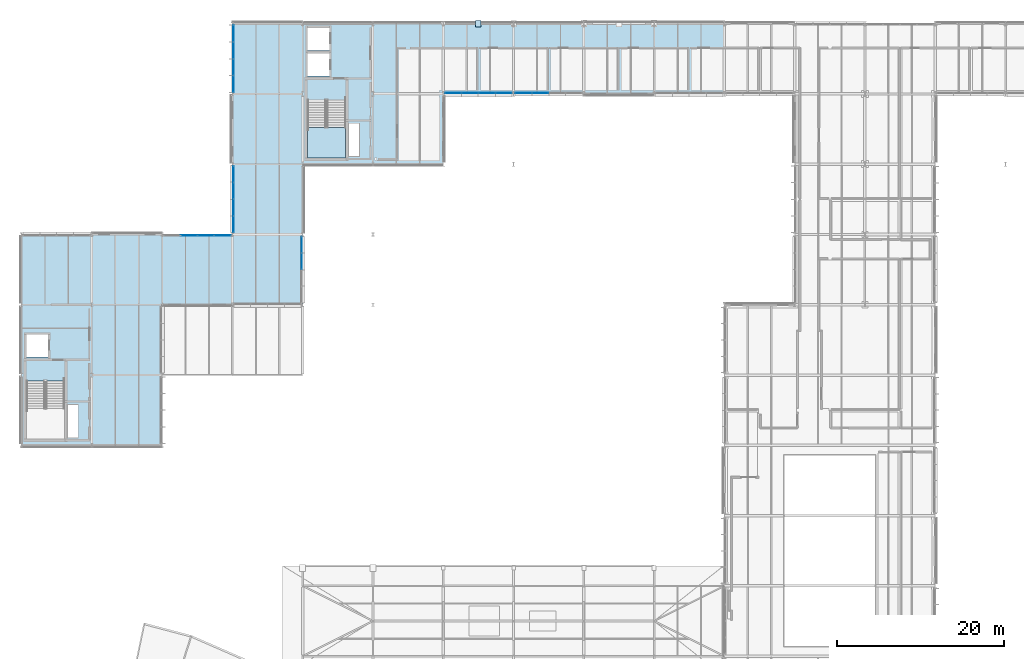
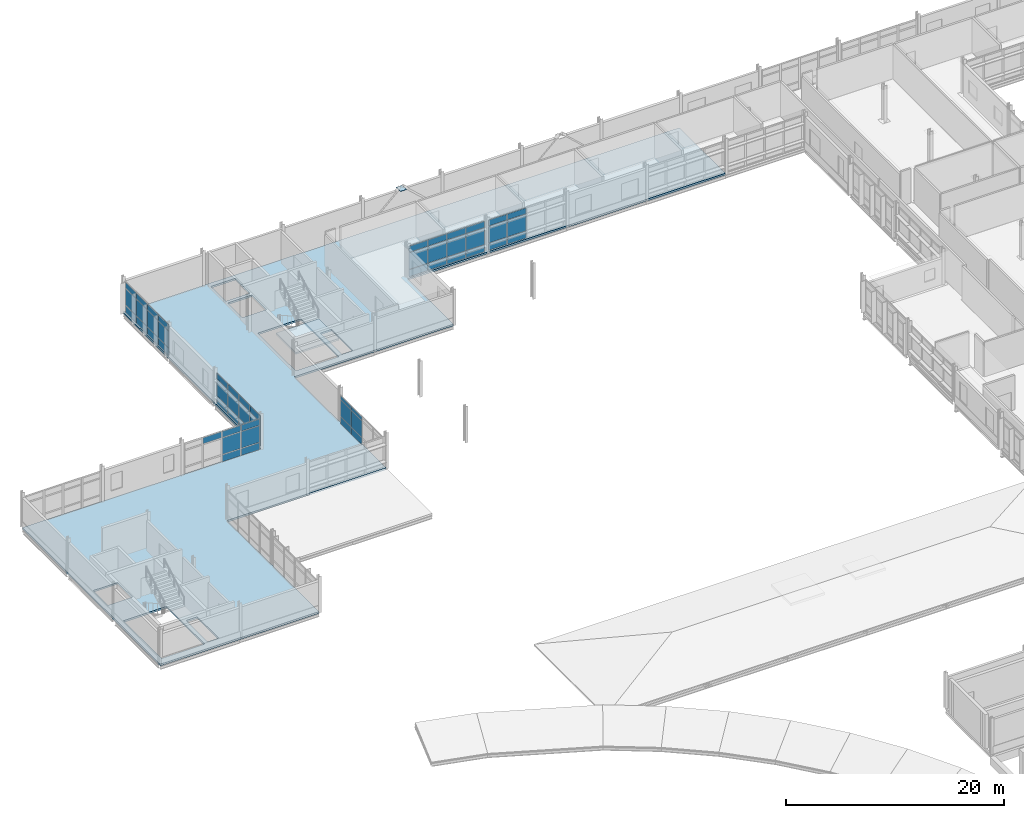
# One storey, part 111 of 151: 56 plates, 2 slabs, 7 elements without a shape of their own.
"""IFC4 building model written with IfcOpenShell, lengths in metres."""

import ifcopenshell
import ifcopenshell.guid

model = None  # the IFC model being written
_history = None  # IfcOwnerHistory: only IFC2X3 demands one
_inside = {}  # id of a spatial element -> (the spatial element, [elements in it])
_under = {}  # id of a project, library or spatial element -> (it, [spatial elements below it])
_declared = {}  # id of a project -> (the project, [libraries it declares])
_typed = {}  # id of a type object -> (the type object, [elements of that type])
_made_of = {}  # id of a material, layer set ... -> (it, [elements and type objects made of it])


def new_model(schema):
    """Start an empty IFC model of exactly this schema.

    Asked for "IFC4X3", IfcOpenShell would pick the latest addendum, in which some entities
    have other attributes; the version numbers below select the first issue.
    IFC2X3 requires an IfcOwnerHistory on every rooted entity: one is made here for all.
    """
    global model, _history
    if schema == "IFC4X3":
        model = ifcopenshell.file(schema_version=(4, 3, 0, 0))
    else:
        model = ifcopenshell.file(schema=schema)
    _inside.clear()
    _under.clear()
    _declared.clear()
    _typed.clear()
    _made_of.clear()
    _history = None
    if model.schema == "IFC2X3":
        org = make("IfcOrganization", Name="unknown")
        user = make(
            "IfcPersonAndOrganization",
            ThePerson=make("IfcPerson", FamilyName="unknown"),
            TheOrganization=org,
        )
        app = make(
            "IfcApplication",
            ApplicationDeveloper=org,
            Version="unknown",
            ApplicationFullName="unknown",
            ApplicationIdentifier="unknown",
        )
        _history = make(
            "IfcOwnerHistory",
            OwningUser=user,
            OwningApplication=app,
            ChangeAction="ADDED",
            CreationDate=0,
        )
    return model


def make(cls, **values):
    """One entity of the class cls with the attributes given. An attribute that is None is left unset."""
    return model.create_entity(
        cls, **{name: value for name, value in values.items() if value is not None}
    )


def rooted(cls, **values):
    """An entity with a GlobalId (a new one), such as an element, a storey or a relation."""
    return make(cls, GlobalId=ifcopenshell.guid.new(), OwnerHistory=_history, **values)


def si_unit(unit_type, name, prefix=None):
    """IfcSIUnit, for example si_unit("LENGTHUNIT", "METRE", prefix="MILLI")."""
    return make("IfcSIUnit", UnitType=unit_type, Prefix=prefix, Name=name)


def assignment(units):
    """IfcUnitAssignment: the units of a project."""
    return None if units is None else make("IfcUnitAssignment", Units=units)


def point(xyz):
    """IfcCartesianPoint."""
    return None if xyz is None else make("IfcCartesianPoint", Coordinates=xyz)


def direction(xyz):
    """IfcDirection."""
    return None if xyz is None else make("IfcDirection", DirectionRatios=xyz)


def frame(location, z_axis=None, x_axis=None):
    """IfcAxis2Placement3D, a coordinate frame: its origin and axes. An axis left out is left unset."""
    return make(
        "IfcAxis2Placement3D",
        Location=point(location),
        Axis=direction(z_axis),
        RefDirection=direction(x_axis),
    )


def frame_2d(location, x_axis=None):
    """IfcAxis2Placement2D, a coordinate frame in the plane: its origin and x axis."""
    return make(
        "IfcAxis2Placement2D", Location=point(location), RefDirection=direction(x_axis)
    )


def origin():
    """The frame at (0, 0, 0) with its axes left unset."""
    return frame((0.0, 0.0, 0.0))


def origin_2d():
    """The frame at (0, 0) in the plane with its x axis left unset."""
    return frame_2d((0.0, 0.0))


def place(relative_to, where):
    """IfcLocalPlacement: puts the frame where relative to a parent placement (None: the world)."""
    return make(
        "IfcLocalPlacement", PlacementRelTo=relative_to, RelativePlacement=where
    )


def context(
    kind, dimensions, precision=None, world=None, true_north=None, identifier=None
):
    """IfcGeometricRepresentationContext, for example the 3D "Model" context."""
    return make(
        "IfcGeometricRepresentationContext",
        ContextIdentifier=identifier,
        ContextType=kind,
        CoordinateSpaceDimension=dimensions,
        Precision=precision,
        WorldCoordinateSystem=world,
        TrueNorth=true_north,
    )


def subcontext(parent, identifier, kind, view, scale=None):
    """IfcGeometricRepresentationSubContext, for example "Body" below "Model"."""
    return make(
        "IfcGeometricRepresentationSubContext",
        ContextIdentifier=identifier,
        ContextType=kind,
        ParentContext=parent,
        TargetScale=scale,
        TargetView=view,
    )


def project(units=None, contexts=None):
    """IfcProject with its units and contexts."""
    return rooted(
        "IfcProject",
        Name="project",
        RepresentationContexts=contexts,
        UnitsInContext=assignment(units),
    )


def spatial(cls, under=None, at=None, **own):
    """A site, building, storey or space (cls), placed at a placement, below another one or the project."""
    s = rooted(cls, ObjectPlacement=at, **own)
    if under is not None:
        _under.setdefault(under.id(), (under, []))[1].append(s)
    return s


def polyline(points):
    """IfcPolyline through the points."""
    return make("IfcPolyline", Points=[point(p) for p in points])


def profile(cls, at=None, kind="AREA", **sizes):
    """A parametric profile (cls). Its sizes go by their IFC names, for example OverallWidth=200.0."""
    return make(cls, ProfileType=kind, Position=at, **sizes)


def rectangle(**sizes):
    """IfcRectangleProfileDef."""
    return profile("IfcRectangleProfileDef", **sizes)


def outline(outer, holes=None, kind="AREA"):
    """IfcArbitraryClosedProfileDef: a profile drawn as a closed curve; with holes, ...WithVoids."""
    if holes is None:
        return make("IfcArbitraryClosedProfileDef", ProfileType=kind, OuterCurve=outer)
    return make(
        "IfcArbitraryProfileDefWithVoids",
        ProfileType=kind,
        OuterCurve=outer,
        InnerCurves=holes,
    )


def extrude(swept, where, along, depth):
    """IfcExtrudedAreaSolid: the profile swept, set in the frame where, extruded along a direction by depth."""
    return make(
        "IfcExtrudedAreaSolid",
        SweptArea=swept,
        Position=where,
        ExtrudedDirection=direction(along),
        Depth=depth,
    )


def shape(context_of_items, identifier, shape_type, items):
    """IfcShapeRepresentation: the items that make up one representation, for example the "Body"."""
    return make(
        "IfcShapeRepresentation",
        ContextOfItems=context_of_items,
        RepresentationIdentifier=identifier,
        RepresentationType=shape_type,
        Items=items,
    )


def material(Name=None, Category=None):
    """IfcMaterial."""
    return make("IfcMaterial", Name=Name, Category=Category)


def layer(
    of_material, thickness, ventilated=None, Name=None, Category=None, Priority=None
):
    """IfcMaterialLayer: one layer of a wall or slab, of a material (None: an air gap)."""
    return make(
        "IfcMaterialLayer",
        Material=of_material,
        LayerThickness=thickness,
        IsVentilated=ventilated,
        Name=Name,
        Category=Category,
        Priority=Priority,
    )


def layer_set(layers, Name=None):
    """IfcMaterialLayerSet."""
    return make("IfcMaterialLayerSet", MaterialLayers=layers, LayerSetName=Name)


def made_of(thing, what):
    """Note that an element or type object is made of a material, layer set ...; save() writes the relation."""
    if what is not None:
        _made_of.setdefault(what.id(), (what, []))[1].append(thing)
    return thing


def type_object(cls, material=None, **own):
    """A type object (cls), such as IfcWallType, which elements share."""
    return made_of(rooted(cls, **own), material)


def element(
    cls,
    number,
    at=None,
    inside=None,
    cuts=None,
    type_object=None,
    material=None,
    context=None,
    identifier="Body",
    shape_type=None,
    held_by="IfcProductDefinitionShape",
    body=None,
    shapes=None,
    **own,
):
    """One element of the class cls, such as IfcWall. Its Tag is "e" and its number.

    at: its placement. inside: the storey or other place that contains it. cuts: it is an
    opening in that element (IfcRelVoidsElement). A single representation is given by context,
    identifier, shape_type and body (its items); several are given by shapes. held_by: the class
    of the entity that holds the representations. save() writes the other relations.
    """
    e = rooted(cls, Tag="e%d" % number, ObjectPlacement=at, **own)
    if body is not None:
        shapes = [shape(context, identifier, shape_type, body)]
    if shapes is not None:
        e.Representation = make(held_by, Representations=shapes)
    if inside is not None:
        _inside.setdefault(inside.id(), (inside, []))[1].append(e)
    if cuts is not None:
        rooted(
            "IfcRelVoidsElement", RelatingBuildingElement=cuts, RelatedOpeningElement=e
        )
    if type_object is not None:
        _typed.setdefault(type_object.id(), (type_object, []))[1].append(e)
    return made_of(e, material)


def aggregate(whole, parts):
    """IfcRelAggregates: a whole, such as a stair, and the parts it consists of."""
    return rooted("IfcRelAggregates", RelatingObject=whole, RelatedObjects=parts)


def save(model, path):
    """Write the relations noted so far, then the file.

    IfcRelAggregates (storeys below a building ...), IfcRelContainedInSpatialStructure (elements
    in a storey), IfcRelDefinesByType, IfcRelAssociatesMaterial and IfcRelDeclares: one each for
    every whole, place, type object, material and project.
    """
    for whole, parts in _under.values():
        aggregate(whole, parts)
    for where, things in _inside.values():
        rooted(
            "IfcRelContainedInSpatialStructure",
            RelatedElements=things,
            RelatingStructure=where,
        )
    for kind, things in _typed.values():
        rooted("IfcRelDefinesByType", RelatedObjects=things, RelatingType=kind)
    for what, things in _made_of.values():
        rooted("IfcRelAssociatesMaterial", RelatedObjects=things, RelatingMaterial=what)
    for by, libraries in _declared.values():
        rooted("IfcRelDeclares", RelatingContext=by, RelatedDefinitions=libraries)
    model.write(path)


model = new_model("IFC4")

# Units and contexts
model_context = context("Model", 3, precision=1e-05, world=origin(), true_north=direction((0.0, 1.0)))
body_context = subcontext(model_context, "Body", "Model", "MODEL_VIEW")
ifc_project = project(units=[si_unit("LENGTHUNIT", "METRE"), si_unit("AREAUNIT", "SQUARE_METRE"), si_unit("VOLUMEUNIT", "CUBIC_METRE"), si_unit("PLANEANGLEUNIT", "RADIAN"), si_unit("MASSUNIT", "GRAM", prefix="KILO")], contexts=[model_context])

# Site, building, storey
site_placement = place(None, origin())
site = spatial("IfcSite", under=ifc_project, at=site_placement, CompositionType="ELEMENT")
building_placement = place(site_placement, origin())
building = spatial("IfcBuilding", under=site, at=building_placement, Name="Mersafa Astral City Hall", CompositionType="ELEMENT")
storey_placement = place(building_placement, frame((0.0, 0.0, 9.89990234375)))
storey = spatial("IfcBuildingStorey", under=building, at=storey_placement, Name="L02", CompositionType="ELEMENT", Elevation=9.89990234375)

# Curtain wall, plates
ifc_material_1 = material(Name="Anodised bronze aluminium framing", Category="aluminium")
curtain_wall_type_1 = type_object("IfcCurtainWallType", Name="ENV-CW-1", PredefinedType="USERDEFINED", material=ifc_material_1)
curtain_wall_1_placement = place(storey_placement, origin())
curtain_wall_1 = element("IfcCurtainWall", 1, at=curtain_wall_1_placement, inside=storey, type_object=curtain_wall_type_1, Name="L02 Unitised solar curtain wall 132", ObjectType="UNITISED CURTAIN WALL", PredefinedType="USERDEFINED")
ifc_material_2 = material(Name="Solar control low-e double glazing", Category="glass")
ifc_layer_1 = layer(ifc_material_2, 0.028076171875, Name="Solar control low-e double glazing")
ifc_layer_set_1 = layer_set([ifc_layer_1], Name="Solar control low-e double glazing — ENV-CW-PNL-GLZ-1")
plate_type_1 = type_object("IfcPlateType", Name="ENV-CW-PNL-GLZ-1", PredefinedType="CURTAIN_PANEL", material=ifc_layer_set_1)
plate_1_placement = place(storey_placement, frame((32.41357421875, 100.679931640625, 0.05810546875), z_axis=(0.0, 0.0, 1.0), x_axis=(-1.0, 0.0, 0.0)))
plate_1 = element("IfcPlate", 2, at=plate_1_placement, type_object=plate_type_1, Name="CW-1 panel 1.1", PredefinedType="CURTAIN_PANEL", context=body_context, shape_type="SweptSolid", body=[
    extrude(rectangle(XDim=1.928955078125, YDim=0.028076171875, at=origin_2d()), origin(), (0.0, 0.0, 1.0), 0.761962890625),
])
plate_2_placement = place(storey_placement, frame((32.41357421875, 100.679931640625, 0.8798828125), z_axis=(0.0, 0.0, 1.0), x_axis=(-1.0, 0.0, 0.0)))
plate_2 = element("IfcPlate", 3, at=plate_2_placement, type_object=plate_type_1, Name="CW-1 panel 1.2", PredefinedType="CURTAIN_PANEL", context=body_context, shape_type="SweptSolid", body=[
    extrude(rectangle(XDim=1.928955078125, YDim=0.028076171875, at=origin_2d()), origin(), (0.0, 0.0, 1.0), 1.840087890625),
])
plate_3_placement = place(storey_placement, frame((32.41357421875, 100.679931640625, 2.7802734375), z_axis=(0.0, 0.0, 1.0), x_axis=(-1.0, 0.0, 0.0)))
plate_3 = element("IfcPlate", 4, at=plate_3_placement, type_object=plate_type_1, Name="CW-1 panel 1.3", PredefinedType="CURTAIN_PANEL", context=body_context, shape_type="SweptSolid", body=[
    extrude(rectangle(XDim=1.928955078125, YDim=0.028076171875, at=origin_2d()), origin(), (0.0, 0.0, 1.0), 0.677001953125),
])
plate_4_placement = place(storey_placement, frame((30.409423828125, 100.679931640625, 0.05810546875), z_axis=(0.0, 0.0, 1.0), x_axis=(-1.0, 0.0, 0.0)))
plate_4 = element("IfcPlate", 5, at=plate_4_placement, type_object=plate_type_1, Name="CW-1 panel 2.1", PredefinedType="CURTAIN_PANEL", context=body_context, shape_type="SweptSolid", body=[
    extrude(rectangle(XDim=1.958984375, YDim=0.028076171875, at=origin_2d()), origin(), (0.0, 0.0, 1.0), 0.761962890625),
])
plate_5_placement = place(storey_placement, frame((30.409423828125, 100.679931640625, 0.8798828125), z_axis=(0.0, 0.0, 1.0), x_axis=(-1.0, 0.0, 0.0)))
plate_5 = element("IfcPlate", 6, at=plate_5_placement, type_object=plate_type_1, Name="CW-1 panel 2.2", PredefinedType="CURTAIN_PANEL", context=body_context, shape_type="SweptSolid", body=[
    extrude(rectangle(XDim=1.958984375, YDim=0.028076171875, at=origin_2d()), origin(), (0.0, 0.0, 1.0), 1.840087890625),
])
plate_6_placement = place(storey_placement, frame((30.409423828125, 100.679931640625, 2.7802734375), z_axis=(0.0, 0.0, 1.0), x_axis=(-1.0, 0.0, 0.0)))
plate_6 = element("IfcPlate", 7, at=plate_6_placement, type_object=plate_type_1, Name="CW-1 panel 2.3", PredefinedType="CURTAIN_PANEL", context=body_context, shape_type="SweptSolid", body=[
    extrude(rectangle(XDim=1.958984375, YDim=0.028076171875, at=origin_2d()), origin(), (0.0, 0.0, 1.0), 0.677001953125),
])
plate_7_placement = place(storey_placement, frame((28.390380859375, 100.679931640625, 2.7802734375), z_axis=(0.0, 0.0, 1.0), x_axis=(-1.0, 0.0, 0.0)))
plate_7 = element("IfcPlate", 8, at=plate_7_placement, type_object=plate_type_1, Name="CW-1 panel 3.3", PredefinedType="CURTAIN_PANEL", context=body_context, shape_type="SweptSolid", body=[
    extrude(rectangle(XDim=1.958984375, YDim=0.028076171875, at=origin_2d()), origin(), (0.0, 0.0, 1.0), 0.677001953125),
])
aggregate(curtain_wall_1, [plate_1, plate_2, plate_3, plate_4, plate_5, plate_6, plate_7])

curtain_wall_type_2 = type_object("IfcCurtainWallType", Name="ENV-CW-6", PredefinedType="USERDEFINED", material=ifc_material_1)
curtain_wall_2_placement = place(storey_placement, origin())
curtain_wall_2 = element("IfcCurtainWall", 9, at=curtain_wall_2_placement, inside=storey, type_object=curtain_wall_type_2, Name="L02 Unitised solar curtain wall 137", ObjectType="UNITISED CURTAIN WALL", PredefinedType="USERDEFINED")
ifc_layer_2 = layer(ifc_material_2, 0.031982421875, Name="Solar control low-e double glazing")
ifc_layer_set_2 = layer_set([ifc_layer_2], Name="Solar control low-e double glazing — ENV-CW-PNL-GLZ-2")
plate_type_2 = type_object("IfcPlateType", Name="ENV-CW-PNL-GLZ-2", PredefinedType="CURTAIN_PANEL", material=ifc_layer_set_2)
plate_8_placement = place(storey_placement, frame((41.8798828125, 97.596923828125, 0.05810546875), z_axis=(0.0, 0.0, 1.0), x_axis=(0.0, 1.0, 0.0)))
plate_8 = element("IfcPlate", 10, at=plate_8_placement, type_object=plate_type_2, Name="CW-6 panel 3.1", PredefinedType="CURTAIN_PANEL", context=body_context, shape_type="SweptSolid", body=[
    extrude(rectangle(XDim=1.93408203125, YDim=0.031982421875, at=origin_2d()), origin(), (0.0, 0.0, 1.0), 0.761962890625),
])
plate_9_placement = place(storey_placement, frame((41.8798828125, 97.596923828125, 0.8798828125), z_axis=(0.0, 0.0, 1.0), x_axis=(0.0, 1.0, 0.0)))
plate_9 = element("IfcPlate", 11, at=plate_9_placement, type_object=plate_type_2, Name="CW-6 panel 3.2", PredefinedType="CURTAIN_PANEL", context=body_context, shape_type="SweptSolid", body=[
    extrude(rectangle(XDim=1.93408203125, YDim=0.031982421875, at=origin_2d()), origin(), (0.0, 0.0, 1.0), 1.840087890625),
])
plate_10_placement = place(storey_placement, frame((41.8798828125, 97.596923828125, 2.7802734375), z_axis=(0.0, 0.0, 1.0), x_axis=(0.0, 1.0, 0.0)))
plate_10 = element("IfcPlate", 12, at=plate_10_placement, type_object=plate_type_2, Name="CW-6 panel 3.3", PredefinedType="CURTAIN_PANEL", context=body_context, shape_type="SweptSolid", body=[
    extrude(rectangle(XDim=1.93408203125, YDim=0.031982421875, at=origin_2d()), origin(), (0.0, 0.0, 1.0), 0.406982421875),
])
plate_11_placement = place(storey_placement, frame((41.8798828125, 99.575927734375, 0.05810546875), z_axis=(0.0, 0.0, 1.0), x_axis=(0.0, 1.0, 0.0)))
plate_11 = element("IfcPlate", 13, at=plate_11_placement, type_object=plate_type_2, Name="CW-6 panel 4.1", PredefinedType="CURTAIN_PANEL", context=body_context, shape_type="SweptSolid", body=[
    extrude(rectangle(XDim=1.904052734375, YDim=0.031982421875, at=origin_2d()), origin(), (0.0, 0.0, 1.0), 0.761962890625),
])
plate_12_placement = place(storey_placement, frame((41.8798828125, 99.575927734375, 0.8798828125), z_axis=(0.0, 0.0, 1.0), x_axis=(0.0, 1.0, 0.0)))
plate_12 = element("IfcPlate", 14, at=plate_12_placement, type_object=plate_type_2, Name="CW-6 panel 4.2", PredefinedType="CURTAIN_PANEL", context=body_context, shape_type="SweptSolid", body=[
    extrude(rectangle(XDim=1.904052734375, YDim=0.031982421875, at=origin_2d()), origin(), (0.0, 0.0, 1.0), 1.840087890625),
])
plate_13_placement = place(storey_placement, frame((41.8798828125, 99.575927734375, 2.7802734375), z_axis=(0.0, 0.0, 1.0), x_axis=(0.0, 1.0, 0.0)))
plate_13 = element("IfcPlate", 15, at=plate_13_placement, type_object=plate_type_2, Name="CW-6 panel 4.3", PredefinedType="CURTAIN_PANEL", context=body_context, shape_type="SweptSolid", body=[
    extrude(rectangle(XDim=1.904052734375, YDim=0.031982421875, at=origin_2d()), origin(), (0.0, 0.0, 1.0), 0.406982421875),
])
aggregate(curtain_wall_2, [plate_8, plate_9, plate_10, plate_11, plate_12, plate_13])

curtain_wall_type_3 = type_object("IfcCurtainWallType", Name="ENV-CW-5", PredefinedType="USERDEFINED", material=ifc_material_1)
curtain_wall_3_placement = place(storey_placement, origin())
curtain_wall_3 = element("IfcCurtainWall", 16, at=curtain_wall_3_placement, inside=storey, type_object=curtain_wall_type_3, Name="L02 Unitised solar curtain wall 130", ObjectType="UNITISED CURTAIN WALL", PredefinedType="USERDEFINED")
ifc_layer_3 = layer(ifc_material_2, 0.035888671875, Name="Solar control low-e double glazing")
ifc_layer_set_3 = layer_set([ifc_layer_3], Name="Solar control low-e double glazing — ENV-CW-PNL-GLZ-3")
plate_type_3 = type_object("IfcPlateType", Name="ENV-CW-PNL-GLZ-3", PredefinedType="CURTAIN_PANEL", material=ifc_layer_set_3)
plate_14_placement = place(storey_placement, frame((33.719970703125, 124.8134765625, 0.05810546875), z_axis=(0.0, 0.0, 1.0), x_axis=(0.0, -1.0, 0.0)))
plate_14 = element("IfcPlate", 17, at=plate_14_placement, type_object=plate_type_3, Name="CW-5 panel 1.1", PredefinedType="CURTAIN_PANEL", context=body_context, shape_type="SweptSolid", body=[
    extrude(rectangle(XDim=1.928955078125, YDim=0.035888671875, at=origin_2d()), origin(), (0.0, 0.0, 1.0), 0.761962890625),
])
plate_15_placement = place(storey_placement, frame((33.719970703125, 124.8134765625, 0.8798828125), z_axis=(0.0, 0.0, 1.0), x_axis=(0.0, -1.0, 0.0)))
plate_15 = element("IfcPlate", 18, at=plate_15_placement, type_object=plate_type_3, Name="CW-5 panel 1.2", PredefinedType="CURTAIN_PANEL", context=body_context, shape_type="SweptSolid", body=[
    extrude(rectangle(XDim=1.928955078125, YDim=0.035888671875, at=origin_2d()), origin(), (0.0, 0.0, 1.0), 1.840087890625),
])
plate_16_placement = place(storey_placement, frame((33.719970703125, 124.8134765625, 2.780029296875), z_axis=(0.0, 0.0, 1.0), x_axis=(0.0, -1.0, 0.0)))
plate_16 = element("IfcPlate", 19, at=plate_16_placement, type_object=plate_type_3, Name="CW-5 panel 1.3", PredefinedType="CURTAIN_PANEL", context=body_context, shape_type="SweptSolid", body=[
    extrude(rectangle(XDim=1.928955078125, YDim=0.035888671875, at=origin_2d()), origin(), (0.0, 0.0, 1.0), 0.64697265625),
])
plate_17_placement = place(storey_placement, frame((33.719970703125, 122.8095703125, 0.05810546875), z_axis=(0.0, 0.0, 1.0), x_axis=(0.0, -1.0, 0.0)))
plate_17 = element("IfcPlate", 20, at=plate_17_placement, type_object=plate_type_3, Name="CW-5 panel 2.1", PredefinedType="CURTAIN_PANEL", context=body_context, shape_type="SweptSolid", body=[
    extrude(rectangle(XDim=1.958984375, YDim=0.035888671875, at=origin_2d()), origin(), (0.0, 0.0, 1.0), 0.761962890625),
])
plate_18_placement = place(storey_placement, frame((33.719970703125, 122.8095703125, 0.8798828125), z_axis=(0.0, 0.0, 1.0), x_axis=(0.0, -1.0, 0.0)))
plate_18 = element("IfcPlate", 21, at=plate_18_placement, type_object=plate_type_3, Name="CW-5 panel 2.2", PredefinedType="CURTAIN_PANEL", context=body_context, shape_type="SweptSolid", body=[
    extrude(rectangle(XDim=1.958984375, YDim=0.035888671875, at=origin_2d()), origin(), (0.0, 0.0, 1.0), 1.840087890625),
])
plate_19_placement = place(storey_placement, frame((33.719970703125, 122.8095703125, 2.780029296875), z_axis=(0.0, 0.0, 1.0), x_axis=(0.0, -1.0, 0.0)))
plate_19 = element("IfcPlate", 22, at=plate_19_placement, type_object=plate_type_3, Name="CW-5 panel 2.3", PredefinedType="CURTAIN_PANEL", context=body_context, shape_type="SweptSolid", body=[
    extrude(rectangle(XDim=1.958984375, YDim=0.035888671875, at=origin_2d()), origin(), (0.0, 0.0, 1.0), 0.64697265625),
])
plate_20_placement = place(storey_placement, frame((33.719970703125, 120.79052734375, 0.05810546875), z_axis=(0.0, 0.0, 1.0), x_axis=(0.0, -1.0, 0.0)))
plate_20 = element("IfcPlate", 23, at=plate_20_placement, type_object=plate_type_3, Name="CW-5 panel 3.1", PredefinedType="CURTAIN_PANEL", context=body_context, shape_type="SweptSolid", body=[
    extrude(rectangle(XDim=1.958984375, YDim=0.035888671875, at=origin_2d()), origin(), (0.0, 0.0, 1.0), 0.761962890625),
])
plate_21_placement = place(storey_placement, frame((33.719970703125, 120.79052734375, 0.8798828125), z_axis=(0.0, 0.0, 1.0), x_axis=(0.0, -1.0, 0.0)))
plate_21 = element("IfcPlate", 24, at=plate_21_placement, type_object=plate_type_3, Name="CW-5 panel 3.2", PredefinedType="CURTAIN_PANEL", context=body_context, shape_type="SweptSolid", body=[
    extrude(rectangle(XDim=1.958984375, YDim=0.035888671875, at=origin_2d()), origin(), (0.0, 0.0, 1.0), 1.840087890625),
])
plate_22_placement = place(storey_placement, frame((33.719970703125, 120.79052734375, 2.780029296875), z_axis=(0.0, 0.0, 1.0), x_axis=(0.0, -1.0, 0.0)))
plate_22 = element("IfcPlate", 25, at=plate_22_placement, type_object=plate_type_3, Name="CW-5 panel 3.3", PredefinedType="CURTAIN_PANEL", context=body_context, shape_type="SweptSolid", body=[
    extrude(rectangle(XDim=1.958984375, YDim=0.035888671875, at=origin_2d()), origin(), (0.0, 0.0, 1.0), 0.64697265625),
])
plate_23_placement = place(storey_placement, frame((33.719970703125, 118.78662109375, 0.05810546875), z_axis=(0.0, 0.0, 1.0), x_axis=(0.0, -1.0, 0.0)))
plate_23 = element("IfcPlate", 26, at=plate_23_placement, type_object=plate_type_3, Name="CW-5 panel 4.1", PredefinedType="CURTAIN_PANEL", context=body_context, shape_type="SweptSolid", body=[
    extrude(rectangle(XDim=1.928955078125, YDim=0.035888671875, at=origin_2d()), origin(), (0.0, 0.0, 1.0), 0.761962890625),
])
plate_24_placement = place(storey_placement, frame((33.719970703125, 118.78662109375, 0.8798828125), z_axis=(0.0, 0.0, 1.0), x_axis=(0.0, -1.0, 0.0)))
plate_24 = element("IfcPlate", 27, at=plate_24_placement, type_object=plate_type_3, Name="CW-5 panel 4.2", PredefinedType="CURTAIN_PANEL", context=body_context, shape_type="SweptSolid", body=[
    extrude(rectangle(XDim=1.928955078125, YDim=0.035888671875, at=origin_2d()), origin(), (0.0, 0.0, 1.0), 1.840087890625),
])
plate_25_placement = place(storey_placement, frame((33.719970703125, 118.78662109375, 2.780029296875), z_axis=(0.0, 0.0, 1.0), x_axis=(0.0, -1.0, 0.0)))
plate_25 = element("IfcPlate", 28, at=plate_25_placement, type_object=plate_type_3, Name="CW-5 panel 4.3", PredefinedType="CURTAIN_PANEL", context=body_context, shape_type="SweptSolid", body=[
    extrude(rectangle(XDim=1.928955078125, YDim=0.035888671875, at=origin_2d()), origin(), (0.0, 0.0, 1.0), 0.64697265625),
])
aggregate(curtain_wall_3, [plate_14, plate_15, plate_16, plate_17, plate_18, plate_19, plate_20, plate_21, plate_22, plate_23, plate_24, plate_25])

curtain_wall_4_placement = place(storey_placement, origin())
curtain_wall_4 = element("IfcCurtainWall", 29, at=curtain_wall_4_placement, inside=storey, type_object=curtain_wall_type_1, Name="L02 Unitised solar curtain wall 138", ObjectType="UNITISED CURTAIN WALL", PredefinedType="USERDEFINED")
plate_26_placement = place(storey_placement, frame((59.986572265625, 117.719970703125, 0.05810546875), z_axis=(0.0, 0.0, 1.0), x_axis=(1.0, 0.0, 0.0)))
plate_26 = element("IfcPlate", 30, at=plate_26_placement, type_object=plate_type_3, Name="CW-1 panel 1.1", PredefinedType="CURTAIN_PANEL", context=body_context, shape_type="SweptSolid", body=[
    extrude(rectangle(XDim=1.928955078125, YDim=0.035888671875, at=origin_2d()), origin(), (0.0, 0.0, 1.0), 0.761962890625),
])
plate_27_placement = place(storey_placement, frame((59.986572265625, 117.719970703125, 0.8798828125), z_axis=(0.0, 0.0, 1.0), x_axis=(1.0, 0.0, 0.0)))
plate_27 = element("IfcPlate", 31, at=plate_27_placement, type_object=plate_type_3, Name="CW-1 panel 1.2", PredefinedType="CURTAIN_PANEL", context=body_context, shape_type="SweptSolid", body=[
    extrude(rectangle(XDim=1.928955078125, YDim=0.035888671875, at=origin_2d()), origin(), (0.0, 0.0, 1.0), 1.840087890625),
])
plate_28_placement = place(storey_placement, frame((59.986572265625, 117.719970703125, 2.7802734375), z_axis=(0.0, 0.0, 1.0), x_axis=(1.0, 0.0, 0.0)))
plate_28 = element("IfcPlate", 32, at=plate_28_placement, type_object=plate_type_3, Name="CW-1 panel 1.3", PredefinedType="CURTAIN_PANEL", context=body_context, shape_type="SweptSolid", body=[
    extrude(rectangle(XDim=1.928955078125, YDim=0.035888671875, at=origin_2d()), origin(), (0.0, 0.0, 1.0), 0.677001953125),
])
plate_29_placement = place(storey_placement, frame((61.990478515625, 117.719970703125, 0.05810546875), z_axis=(0.0, 0.0, 1.0), x_axis=(1.0, 0.0, 0.0)))
plate_29 = element("IfcPlate", 33, at=plate_29_placement, type_object=plate_type_3, Name="CW-1 panel 2.1", PredefinedType="CURTAIN_PANEL", context=body_context, shape_type="SweptSolid", body=[
    extrude(rectangle(XDim=1.958984375, YDim=0.035888671875, at=origin_2d()), origin(), (0.0, 0.0, 1.0), 0.761962890625),
])
plate_30_placement = place(storey_placement, frame((61.990478515625, 117.719970703125, 0.8798828125), z_axis=(0.0, 0.0, 1.0), x_axis=(1.0, 0.0, 0.0)))
plate_30 = element("IfcPlate", 34, at=plate_30_placement, type_object=plate_type_3, Name="CW-1 panel 2.2", PredefinedType="CURTAIN_PANEL", context=body_context, shape_type="SweptSolid", body=[
    extrude(rectangle(XDim=1.958984375, YDim=0.035888671875, at=origin_2d()), origin(), (0.0, 0.0, 1.0), 1.840087890625),
])
plate_31_placement = place(storey_placement, frame((61.990478515625, 117.719970703125, 2.7802734375), z_axis=(0.0, 0.0, 1.0), x_axis=(1.0, 0.0, 0.0)))
plate_31 = element("IfcPlate", 35, at=plate_31_placement, type_object=plate_type_3, Name="CW-1 panel 2.3", PredefinedType="CURTAIN_PANEL", context=body_context, shape_type="SweptSolid", body=[
    extrude(rectangle(XDim=1.958984375, YDim=0.035888671875, at=origin_2d()), origin(), (0.0, 0.0, 1.0), 0.677001953125),
])
plate_32_placement = place(storey_placement, frame((64.009521484375, 117.719970703125, 0.05810546875), z_axis=(0.0, 0.0, 1.0), x_axis=(1.0, 0.0, 0.0)))
plate_32 = element("IfcPlate", 36, at=plate_32_placement, type_object=plate_type_3, Name="CW-1 panel 3.1", PredefinedType="CURTAIN_PANEL", context=body_context, shape_type="SweptSolid", body=[
    extrude(rectangle(XDim=1.958984375, YDim=0.035888671875, at=origin_2d()), origin(), (0.0, 0.0, 1.0), 0.761962890625),
])
plate_33_placement = place(storey_placement, frame((64.009521484375, 117.719970703125, 0.8798828125), z_axis=(0.0, 0.0, 1.0), x_axis=(1.0, 0.0, 0.0)))
plate_33 = element("IfcPlate", 37, at=plate_33_placement, type_object=plate_type_3, Name="CW-1 panel 3.2", PredefinedType="CURTAIN_PANEL", context=body_context, shape_type="SweptSolid", body=[
    extrude(rectangle(XDim=1.958984375, YDim=0.035888671875, at=origin_2d()), origin(), (0.0, 0.0, 1.0), 1.840087890625),
])
plate_34_placement = place(storey_placement, frame((64.009521484375, 117.719970703125, 2.7802734375), z_axis=(0.0, 0.0, 1.0), x_axis=(1.0, 0.0, 0.0)))
plate_34 = element("IfcPlate", 38, at=plate_34_placement, type_object=plate_type_3, Name="CW-1 panel 3.3", PredefinedType="CURTAIN_PANEL", context=body_context, shape_type="SweptSolid", body=[
    extrude(rectangle(XDim=1.958984375, YDim=0.035888671875, at=origin_2d()), origin(), (0.0, 0.0, 1.0), 0.677001953125),
])
plate_35_placement = place(storey_placement, frame((66.013427734375, 117.719970703125, 0.05810546875), z_axis=(0.0, 0.0, 1.0), x_axis=(1.0, 0.0, 0.0)))
plate_35 = element("IfcPlate", 39, at=plate_35_placement, type_object=plate_type_3, Name="CW-1 panel 4.1", PredefinedType="CURTAIN_PANEL", context=body_context, shape_type="SweptSolid", body=[
    extrude(rectangle(XDim=1.928955078125, YDim=0.035888671875, at=origin_2d()), origin(), (0.0, 0.0, 1.0), 0.761962890625),
])
plate_36_placement = place(storey_placement, frame((66.013427734375, 117.719970703125, 0.8798828125), z_axis=(0.0, 0.0, 1.0), x_axis=(1.0, 0.0, 0.0)))
plate_36 = element("IfcPlate", 40, at=plate_36_placement, type_object=plate_type_3, Name="CW-1 panel 4.2", PredefinedType="CURTAIN_PANEL", context=body_context, shape_type="SweptSolid", body=[
    extrude(rectangle(XDim=1.928955078125, YDim=0.035888671875, at=origin_2d()), origin(), (0.0, 0.0, 1.0), 1.840087890625),
])
plate_37_placement = place(storey_placement, frame((66.013427734375, 117.719970703125, 2.7802734375), z_axis=(0.0, 0.0, 1.0), x_axis=(1.0, 0.0, 0.0)))
plate_37 = element("IfcPlate", 41, at=plate_37_placement, type_object=plate_type_3, Name="CW-1 panel 4.3", PredefinedType="CURTAIN_PANEL", context=body_context, shape_type="SweptSolid", body=[
    extrude(rectangle(XDim=1.928955078125, YDim=0.035888671875, at=origin_2d()), origin(), (0.0, 0.0, 1.0), 0.677001953125),
])
aggregate(curtain_wall_4, [plate_26, plate_27, plate_28, plate_29, plate_30, plate_31, plate_32, plate_33, plate_34, plate_35, plate_36, plate_37])

curtain_wall_5_placement = place(storey_placement, origin())
curtain_wall_5 = element("IfcCurtainWall", 42, at=curtain_wall_5_placement, inside=storey, type_object=curtain_wall_type_2, Name="L02 Unitised solar curtain wall 131", ObjectType="UNITISED CURTAIN WALL", PredefinedType="USERDEFINED")
ifc_layer_4 = layer(ifc_material_2, 0.0400390625, Name="Solar control low-e double glazing")
ifc_layer_set_4 = layer_set([ifc_layer_4], Name="Solar control low-e double glazing — ENV-CW-PNL-GLZ-4")
plate_type_4 = type_object("IfcPlateType", Name="ENV-CW-PNL-GLZ-4", PredefinedType="CURTAIN_PANEL", material=ifc_layer_set_4)
plate_38_placement = place(storey_placement, frame((33.719970703125, 108.019775390625, 0.05810546875), z_axis=(0.0, 0.0, 1.0), x_axis=(0.0, -1.0, 0.0)))
plate_38 = element("IfcPlate", 43, at=plate_38_placement, type_object=plate_type_4, Name="CW-6 panel 1.1", PredefinedType="CURTAIN_PANEL", context=body_context, shape_type="SweptSolid", body=[
    extrude(rectangle(XDim=1.91650390625, YDim=0.0400390625, at=origin_2d()), origin(), (0.0, 0.0, 1.0), 0.761962890625),
])
plate_39_placement = place(storey_placement, frame((33.719970703125, 108.019775390625, 0.8798828125), z_axis=(0.0, 0.0, 1.0), x_axis=(0.0, -1.0, 0.0)))
plate_39 = element("IfcPlate", 44, at=plate_39_placement, type_object=plate_type_4, Name="CW-6 panel 1.2", PredefinedType="CURTAIN_PANEL", context=body_context, shape_type="SweptSolid", body=[
    extrude(rectangle(XDim=1.91650390625, YDim=0.0400390625, at=origin_2d()), origin(), (0.0, 0.0, 1.0), 1.840087890625),
])
plate_40_placement = place(storey_placement, frame((33.719970703125, 108.019775390625, 2.780029296875), z_axis=(0.0, 0.0, 1.0), x_axis=(0.0, -1.0, 0.0)))
plate_40 = element("IfcPlate", 45, at=plate_40_placement, type_object=plate_type_4, Name="CW-6 panel 1.3", PredefinedType="CURTAIN_PANEL", context=body_context, shape_type="SweptSolid", body=[
    extrude(rectangle(XDim=1.91650390625, YDim=0.0400390625, at=origin_2d()), origin(), (0.0, 0.0, 1.0), 0.64697265625),
])
plate_41_placement = place(storey_placement, frame((33.719970703125, 106.0283203125, 0.05810546875), z_axis=(0.0, 0.0, 1.0), x_axis=(0.0, -1.0, 0.0)))
plate_41 = element("IfcPlate", 46, at=plate_41_placement, type_object=plate_type_4, Name="CW-6 panel 2.1", PredefinedType="CURTAIN_PANEL", context=body_context, shape_type="SweptSolid", body=[
    extrude(rectangle(XDim=1.946533203125, YDim=0.0400390625, at=origin_2d()), origin(), (0.0, 0.0, 1.0), 0.761962890625),
])
plate_42_placement = place(storey_placement, frame((33.719970703125, 106.0283203125, 0.8798828125), z_axis=(0.0, 0.0, 1.0), x_axis=(0.0, -1.0, 0.0)))
plate_42 = element("IfcPlate", 47, at=plate_42_placement, type_object=plate_type_4, Name="CW-6 panel 2.2", PredefinedType="CURTAIN_PANEL", context=body_context, shape_type="SweptSolid", body=[
    extrude(rectangle(XDim=1.946533203125, YDim=0.0400390625, at=origin_2d()), origin(), (0.0, 0.0, 1.0), 1.840087890625),
])
plate_43_placement = place(storey_placement, frame((33.719970703125, 106.0283203125, 2.780029296875), z_axis=(0.0, 0.0, 1.0), x_axis=(0.0, -1.0, 0.0)))
plate_43 = element("IfcPlate", 48, at=plate_43_placement, type_object=plate_type_4, Name="CW-6 panel 2.3", PredefinedType="CURTAIN_PANEL", context=body_context, shape_type="SweptSolid", body=[
    extrude(rectangle(XDim=1.946533203125, YDim=0.0400390625, at=origin_2d()), origin(), (0.0, 0.0, 1.0), 0.64697265625),
])
plate_44_placement = place(storey_placement, frame((33.719970703125, 104.021728515625, 0.05810546875), z_axis=(0.0, 0.0, 1.0), x_axis=(0.0, -1.0, 0.0)))
plate_44 = element("IfcPlate", 49, at=plate_44_placement, type_object=plate_type_4, Name="CW-6 panel 3.1", PredefinedType="CURTAIN_PANEL", context=body_context, shape_type="SweptSolid", body=[
    extrude(rectangle(XDim=1.946533203125, YDim=0.0400390625, at=origin_2d()), origin(), (0.0, 0.0, 1.0), 0.761962890625),
])
plate_45_placement = place(storey_placement, frame((33.719970703125, 104.021728515625, 0.8798828125), z_axis=(0.0, 0.0, 1.0), x_axis=(0.0, -1.0, 0.0)))
plate_45 = element("IfcPlate", 50, at=plate_45_placement, type_object=plate_type_4, Name="CW-6 panel 3.2", PredefinedType="CURTAIN_PANEL", context=body_context, shape_type="SweptSolid", body=[
    extrude(rectangle(XDim=1.946533203125, YDim=0.0400390625, at=origin_2d()), origin(), (0.0, 0.0, 1.0), 1.840087890625),
])
plate_46_placement = place(storey_placement, frame((33.719970703125, 104.021728515625, 2.780029296875), z_axis=(0.0, 0.0, 1.0), x_axis=(0.0, -1.0, 0.0)))
plate_46 = element("IfcPlate", 51, at=plate_46_placement, type_object=plate_type_4, Name="CW-6 panel 3.3", PredefinedType="CURTAIN_PANEL", context=body_context, shape_type="SweptSolid", body=[
    extrude(rectangle(XDim=1.946533203125, YDim=0.0400390625, at=origin_2d()), origin(), (0.0, 0.0, 1.0), 0.64697265625),
])
plate_47_placement = place(storey_placement, frame((33.719970703125, 102.0302734375, 0.05810546875), z_axis=(0.0, 0.0, 1.0), x_axis=(0.0, -1.0, 0.0)))
plate_47 = element("IfcPlate", 52, at=plate_47_placement, type_object=plate_type_4, Name="CW-6 panel 4.1", PredefinedType="CURTAIN_PANEL", context=body_context, shape_type="SweptSolid", body=[
    extrude(rectangle(XDim=1.91650390625, YDim=0.0400390625, at=origin_2d()), origin(), (0.0, 0.0, 1.0), 0.761962890625),
])
plate_48_placement = place(storey_placement, frame((33.719970703125, 102.0302734375, 0.8798828125), z_axis=(0.0, 0.0, 1.0), x_axis=(0.0, -1.0, 0.0)))
plate_48 = element("IfcPlate", 53, at=plate_48_placement, type_object=plate_type_4, Name="CW-6 panel 4.2", PredefinedType="CURTAIN_PANEL", context=body_context, shape_type="SweptSolid", body=[
    extrude(rectangle(XDim=1.91650390625, YDim=0.0400390625, at=origin_2d()), origin(), (0.0, 0.0, 1.0), 1.840087890625),
])
plate_49_placement = place(storey_placement, frame((33.719970703125, 102.0302734375, 2.780029296875), z_axis=(0.0, 0.0, 1.0), x_axis=(0.0, -1.0, 0.0)))
plate_49 = element("IfcPlate", 54, at=plate_49_placement, type_object=plate_type_4, Name="CW-6 panel 4.3", PredefinedType="CURTAIN_PANEL", context=body_context, shape_type="SweptSolid", body=[
    extrude(rectangle(XDim=1.91650390625, YDim=0.0400390625, at=origin_2d()), origin(), (0.0, 0.0, 1.0), 0.64697265625),
])
aggregate(curtain_wall_5, [plate_38, plate_39, plate_40, plate_41, plate_42, plate_43, plate_44, plate_45, plate_46, plate_47, plate_48, plate_49])

curtain_wall_type_4 = type_object("IfcCurtainWallType", Name="ENV-CW-2", PredefinedType="USERDEFINED", material=ifc_material_1)
curtain_wall_6_placement = place(storey_placement, origin())
curtain_wall_6 = element("IfcCurtainWall", 55, at=curtain_wall_6_placement, inside=storey, type_object=curtain_wall_type_4, Name="L02 Unitised solar curtain wall 139", ObjectType="UNITISED CURTAIN WALL", PredefinedType="USERDEFINED")
plate_50_placement = place(storey_placement, frame((68.386474609375, 117.719970703125, 0.05810546875), z_axis=(0.0, 0.0, 1.0), x_axis=(1.0, 0.0, 0.0)))
plate_50 = element("IfcPlate", 56, at=plate_50_placement, type_object=plate_type_4, Name="CW-2 panel 1.1", PredefinedType="CURTAIN_PANEL", context=body_context, shape_type="SweptSolid", body=[
    extrude(rectangle(XDim=1.928955078125, YDim=0.0400390625, at=origin_2d()), origin(), (0.0, 0.0, 1.0), 0.761962890625),
])
plate_51_placement = place(storey_placement, frame((68.386474609375, 117.719970703125, 0.8798828125), z_axis=(0.0, 0.0, 1.0), x_axis=(1.0, 0.0, 0.0)))
plate_51 = element("IfcPlate", 57, at=plate_51_placement, type_object=plate_type_4, Name="CW-2 panel 1.2", PredefinedType="CURTAIN_PANEL", context=body_context, shape_type="SweptSolid", body=[
    extrude(rectangle(XDim=1.928955078125, YDim=0.0400390625, at=origin_2d()), origin(), (0.0, 0.0, 1.0), 1.840087890625),
])
plate_52_placement = place(storey_placement, frame((68.386474609375, 117.719970703125, 2.780029296875), z_axis=(0.0, 0.0, 1.0), x_axis=(1.0, 0.0, 0.0)))
plate_52 = element("IfcPlate", 58, at=plate_52_placement, type_object=plate_type_4, Name="CW-2 panel 1.3", PredefinedType="CURTAIN_PANEL", context=body_context, shape_type="SweptSolid", body=[
    extrude(rectangle(XDim=1.928955078125, YDim=0.0400390625, at=origin_2d()), origin(), (0.0, 0.0, 1.0), 0.64697265625),
])
plate_53_placement = place(storey_placement, frame((70.390380859375, 117.719970703125, 0.05810546875), z_axis=(0.0, 0.0, 1.0), x_axis=(1.0, 0.0, 0.0)))
plate_53 = element("IfcPlate", 59, at=plate_53_placement, type_object=plate_type_4, Name="CW-2 panel 2.1", PredefinedType="CURTAIN_PANEL", context=body_context, shape_type="SweptSolid", body=[
    extrude(rectangle(XDim=1.958984375, YDim=0.0400390625, at=origin_2d()), origin(), (0.0, 0.0, 1.0), 0.761962890625),
])
plate_54_placement = place(storey_placement, frame((70.390380859375, 117.719970703125, 0.8798828125), z_axis=(0.0, 0.0, 1.0), x_axis=(1.0, 0.0, 0.0)))
plate_54 = element("IfcPlate", 60, at=plate_54_placement, type_object=plate_type_4, Name="CW-2 panel 2.2", PredefinedType="CURTAIN_PANEL", context=body_context, shape_type="SweptSolid", body=[
    extrude(rectangle(XDim=1.958984375, YDim=0.0400390625, at=origin_2d()), origin(), (0.0, 0.0, 1.0), 1.840087890625),
])
plate_55_placement = place(storey_placement, frame((70.390380859375, 117.719970703125, 2.780029296875), z_axis=(0.0, 0.0, 1.0), x_axis=(1.0, 0.0, 0.0)))
plate_55 = element("IfcPlate", 61, at=plate_55_placement, type_object=plate_type_4, Name="CW-2 panel 2.3", PredefinedType="CURTAIN_PANEL", context=body_context, shape_type="SweptSolid", body=[
    extrude(rectangle(XDim=1.958984375, YDim=0.0400390625, at=origin_2d()), origin(), (0.0, 0.0, 1.0), 0.64697265625),
])
aggregate(curtain_wall_6, [plate_50, plate_51, plate_52, plate_53, plate_54, plate_55])

# Stair, slab
ifc_material_3 = material(Name="Concrete C40/50", Category="concrete")
stair_type = type_object("IfcStairType", Name="STAIR", PredefinedType="HALF_TURN_STAIR", material=ifc_material_3)
stair_placement = place(storey_placement, origin())
stair = element("IfcStair", 62, at=stair_placement, inside=storey, type_object=stair_type, Name="L02 Protected Exit Stair ST3", PredefinedType="HALF_TURN_STAIR")
ifc_layer_5 = layer(ifc_material_3, 0.199951171875, Name="Concrete C40/50")
ifc_layer_set_5 = layer_set([ifc_layer_5], Name="Concrete C40/50 — STAIR-LANDING")
slab_type_1 = type_object("IfcSlabType", Name="STAIR-LANDING", PredefinedType="LANDING", material=ifc_layer_set_5)
slab_1_placement = place(storey_placement, frame((0.0, 0.0, 1.8251953125)))
slab_1 = element("IfcSlab", 63, at=slab_1_placement, type_object=slab_type_1, Name="ST3 landing 1", PredefinedType="LANDING", context=body_context, shape_type="SweptSolid", body=[
    extrude(outline(polyline([(42.580078125, 113.60009765625), (42.580078125, 109.949951171875), (47.139892578125, 109.949951171875), (47.139892578125, 113.60009765625), (42.580078125, 113.60009765625)])), origin(), (0.0, 0.0, 1.0), 0.199951171875),
])
aggregate(stair, [slab_1])

# Plate
ifc_material_4 = material(Name="Steel S355", Category="steel")
ifc_layer_6 = layer(ifc_material_4, 0.02197265625, Name="Steel S355")
ifc_layer_set_6 = layer_set([ifc_layer_6], Name="Steel S355 — STR-PLT-NP-29")
plate_type_5 = type_object("IfcPlateType", Name="STR-PLT-NP-29", PredefinedType="SHEET", material=ifc_layer_set_6)
plate_56_placement = place(storey_placement, frame((63.0, 126.0, 3.489013671875), z_axis=(0.0, 0.0, 1.0), x_axis=(1.0, 0.0, 0.0)))
element("IfcPlate", 64, at=plate_56_placement, inside=storey, type_object=plate_type_5, Name="L02 Structural steel brace gusset plate NP-29", PredefinedType="SHEET", context=body_context, shape_type="SweptSolid", body=[
    extrude(rectangle(XDim=0.635009765625, YDim=0.780029296875, at=origin_2d()), origin(), (0.0, 0.0, 1.0), 0.02197265625),
])

# Slab
ifc_material_5 = material(Name="Concrete C35/45", Category="concrete")
ifc_layer_7 = layer(ifc_material_5, 0.199951171875, Name="Concrete C35/45")
ifc_layer_set_7 = layer_set([ifc_layer_7], Name="Concrete C35/45 — STR-SLAB-FLR-200")
slab_type_2 = type_object("IfcSlabType", Name="STR-SLAB-FLR-200", PredefinedType="FLOOR", material=ifc_layer_set_7)
slab_2_placement = place(storey_placement, frame((0.0, 0.0, -0.199951171875)))
element("IfcSlab", 65, at=slab_2_placement, inside=storey, type_object=slab_type_2, Name="L02 V4 structural floor slab 1", PredefinedType="FLOOR", context=body_context, shape_type="SweptSolid", body=[
    extrude(outline(polyline([(16.800048828125, 100.800048828125), (25.199951171875, 100.800048828125), (33.60009765625, 100.800048828125), (33.60009765625, 109.199951171875), (33.60009765625, 117.60009765625), (33.60009765625, 126.0), (42.0, 126.0), (50.39990234375, 126.0), (58.800048828125, 126.0), (67.199951171875, 126.0), (75.60009765625, 126.0), (84.0, 126.0), (92.39990234375, 126.0), (92.39990234375, 117.60009765625), (84.0, 117.60009765625), (75.60009765625, 117.60009765625), (67.199951171875, 117.60009765625), (58.800048828125, 117.60009765625), (58.800048828125, 109.199951171875), (50.39990234375, 109.199951171875), (42.0, 109.199951171875), (42.0, 100.800048828125), (42.0, 92.39990234375), (33.60009765625, 92.39990234375), (25.199951171875, 92.39990234375), (25.199951171875, 84.0), (25.199951171875, 75.60009765625), (16.800048828125, 75.60009765625), (8.39990234375, 75.60009765625), (8.39990234375, 84.0), (8.39990234375, 92.39990234375), (8.39990234375, 100.800048828125), (16.800048828125, 100.800048828125)]), holes=[polyline([(15.1298828125, 80.449951171875), (13.949951171875, 80.449951171875), (13.949951171875, 76.550048828125), (15.1298828125, 76.550048828125), (15.1298828125, 80.449951171875)]), polyline([(8.97998046875, 83.300048828125), (8.97998046875, 76.35009765625), (13.5400390625, 76.35009765625), (13.5400390625, 83.300048828125), (8.97998046875, 83.300048828125)]), polyline([(11.580078125, 86.14990234375), (11.580078125, 88.85009765625), (8.97998046875, 88.85009765625), (8.97998046875, 86.14990234375), (11.580078125, 86.14990234375)]), polyline([(48.72998046875, 110.14990234375), (48.72998046875, 114.050048828125), (47.550048828125, 114.050048828125), (47.550048828125, 110.14990234375), (48.72998046875, 110.14990234375)]), polyline([(42.580078125, 116.89990234375), (42.580078125, 109.949951171875), (47.139892578125, 109.949951171875), (47.139892578125, 116.89990234375), (42.580078125, 116.89990234375)]), polyline([(45.179931640625, 119.75), (45.179931640625, 122.449951171875), (42.580078125, 122.449951171875), (42.580078125, 119.75), (45.179931640625, 119.75)]), polyline([(45.179931640625, 122.800048828125), (45.179931640625, 125.5), (42.580078125, 125.5), (42.580078125, 122.800048828125), (45.179931640625, 122.800048828125)])]), origin(), (0.0, 0.0, 1.0), 0.199951171875),
])

save(model, "model.ifc")
